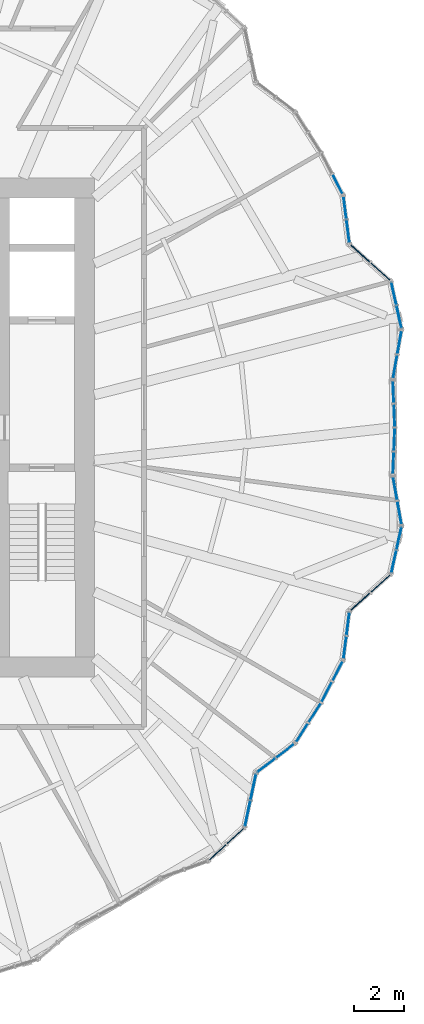
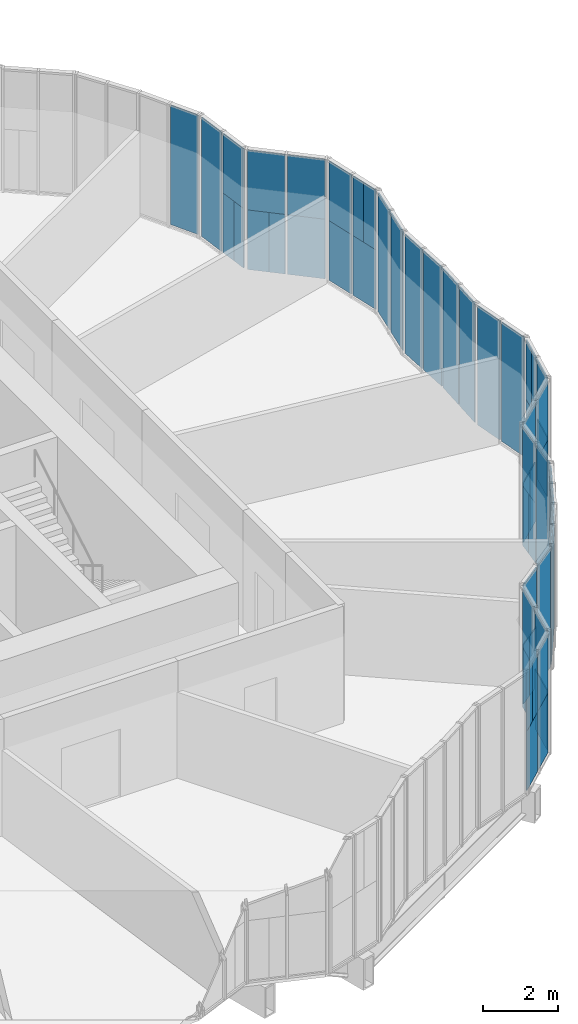
# One storey, part 17 of 23: 55 plates, 16 elements without a shape of their own.
"""IFC4 building model written with IfcOpenShell, lengths in metres."""

from ifc_helpers import new_model, si_unit, direction, frame, origin, origin_2d, place, context, subcontext, project, spatial, rectangle, extrude, material, layer, layer_set, type_object, element, aggregate, save


model = new_model("IFC4")

# Units and contexts
model_context = context("Model", 3, precision=1e-05, world=origin(), true_north=direction((0.0, 1.0)))
body_context = subcontext(model_context, "Body", "Model", "MODEL_VIEW")
ifc_project = project(units=[si_unit("LENGTHUNIT", "METRE"), si_unit("AREAUNIT", "SQUARE_METRE"), si_unit("VOLUMEUNIT", "CUBIC_METRE"), si_unit("PLANEANGLEUNIT", "RADIAN"), si_unit("MASSUNIT", "GRAM", prefix="KILO")], contexts=[model_context])

# Site, building, storey
site_placement = place(None, origin())
site = spatial("IfcSite", under=ifc_project, at=site_placement, CompositionType="ELEMENT")
building_placement = place(site_placement, origin())
building = spatial("IfcBuilding", under=site, at=building_placement, Name="Golbaran Civic Tower", CompositionType="ELEMENT")
storey_placement = place(building_placement, frame((0.0, 0.0, 33.0)))
storey = spatial("IfcBuildingStorey", under=building, at=storey_placement, Name="L07", CompositionType="ELEMENT", Elevation=33.0)

# Curtain wall, plates
ifc_material_1 = material(Name="Aluminium and glass", Category="aluminium")
curtain_wall_type = type_object("IfcCurtainWallType", Name="INNER SKIN CURTAIN WALL", PredefinedType="NOTDEFINED", material=ifc_material_1)
curtain_wall_1_placement = place(storey_placement, origin())
curtain_wall_1 = element("IfcCurtainWall", 1, at=curtain_wall_1_placement, inside=storey, type_object=curtain_wall_type, Name="Inner skin L07 facet 1 CW1", ObjectType="INNER SKIN", PredefinedType="USERDEFINED")
ifc_material_2 = material(Name="Clear insulating glass", Category="glass")
ifc_layer_1 = layer(ifc_material_2, 0.031982421875, Name="Clear insulating glass")
ifc_layer_set_1 = layer_set([ifc_layer_1], Name="Clear insulating glass")
plate_type_1 = type_object("IfcPlateType", Name="INNER SKIN CURTAIN WALL GLAZED PANEL", PredefinedType="CURTAIN_PANEL", material=ifc_layer_set_1)
plate_1_placement = place(storey_placement, frame((22.02392578125, 0.480224609375, 0.06494140625), z_axis=(0.0, 0.0, 1.0), x_axis=(-0.043619387592, 0.999048221572, 0.0)))
plate_1 = element("IfcPlate", 2, at=plate_1_placement, type_object=plate_type_1, Name="CW1 panel 1.1", PredefinedType="CURTAIN_PANEL", context=body_context, shape_type="SweptSolid", body=[
    extrude(rectangle(XDim=0.896484375, YDim=0.031982421875, at=origin_2d()), origin(), (0.0, 0.0, 1.0), 3.8701171875),
])
plate_2_placement = place(storey_placement, frame((21.98291015625, 1.4248046875, 0.06494140625), z_axis=(0.0, 0.0, 1.0), x_axis=(-0.043619387592, 0.999048221572, 0.0)))
plate_2 = element("IfcPlate", 3, at=plate_2_placement, type_object=plate_type_1, Name="CW1 panel 2.1", PredefinedType="CURTAIN_PANEL", context=body_context, shape_type="SweptSolid", body=[
    extrude(rectangle(XDim=0.864013671875, YDim=0.031982421875, at=origin_2d()), origin(), (0.0, 0.0, 1.0), 3.8701171875),
])
aggregate(curtain_wall_1, [plate_1, plate_2])

curtain_wall_2_placement = place(storey_placement, origin())
curtain_wall_2 = element("IfcCurtainWall", 4, at=curtain_wall_2_placement, inside=storey, type_object=curtain_wall_type, Name="Inner skin L07 facet 2 CW1", ObjectType="INNER SKIN", PredefinedType="USERDEFINED")
plate_3_placement = place(storey_placement, frame((22.053955078125, 2.44091796875, 0.06494140625), z_axis=(0.0, 0.0, 1.0), x_axis=(0.175716534296, 0.984440805521, 0.0)))
plate_3 = element("IfcPlate", 5, at=plate_3_placement, type_object=plate_type_1, Name="CW1 panel 1.1", PredefinedType="CURTAIN_PANEL", context=body_context, shape_type="SweptSolid", body=[
    extrude(rectangle(XDim=0.925537109375, YDim=0.031982421875, at=origin_2d()), origin(), (0.0, 0.0, 1.0), 3.8701171875),
])
plate_4_placement = place(storey_placement, frame((22.22802734375, 3.416259765625, 0.06494140625), z_axis=(0.0, 0.0, 1.0), x_axis=(0.175716534296, 0.984440805521, 0.0)))
plate_4 = element("IfcPlate", 6, at=plate_4_placement, type_object=plate_type_1, Name="CW1 panel 2.1", PredefinedType="CURTAIN_PANEL", context=body_context, shape_type="SweptSolid", body=[
    extrude(rectangle(XDim=0.925537109375, YDim=0.031982421875, at=origin_2d()), origin(), (0.0, 0.0, 1.0), 3.8701171875),
])
aggregate(curtain_wall_2, [plate_3, plate_4])

# Curtain wall, plate
curtain_wall_3_placement = place(storey_placement, origin())
curtain_wall_3 = element("IfcCurtainWall", 7, at=curtain_wall_3_placement, inside=storey, type_object=curtain_wall_type, Name="Inner skin L07 facet 3 CW1", ObjectType="INNER SKIN", PredefinedType="USERDEFINED")
plate_5_placement = place(storey_placement, frame((22.253662109375, 4.23828125, 2.0), z_axis=(0.0, 0.0, 1.0), x_axis=(-0.216439613904, 0.976296007127, 0.0)))
plate_5 = element("IfcPlate", 8, at=plate_5_placement, type_object=plate_type_1, Name="CW1 panel 1.1 part 2", PredefinedType="CURTAIN_PANEL", context=body_context, shape_type="SweptSolid", body=[
    extrude(rectangle(XDim=0.489990234375, YDim=0.031982421875, at=origin_2d()), origin(), (0.0, 0.0, 1.0), 1.93505859375),
])

# Curtain wall, plates
curtain_wall_4_placement = place(storey_placement, origin())
curtain_wall_4 = element("IfcCurtainWall", 9, at=curtain_wall_4_placement, inside=storey, type_object=curtain_wall_type, Name="Inner skin L07 facet 4 CW1", ObjectType="INNER SKIN", PredefinedType="USERDEFINED")
plate_6_placement = place(storey_placement, frame((20.491455078125, 7.12548828125, 0.06494140625), z_axis=(0.0, 0.0, 1.0), x_axis=(-0.743783765174, 0.668420309882, 0.0)))
plate_6 = element("IfcPlate", 10, at=plate_6_placement, type_object=plate_type_1, Name="CW1 panel 2.1 part 2", PredefinedType="CURTAIN_PANEL", context=body_context, shape_type="SweptSolid", body=[
    extrude(rectangle(XDim=0.57861328125, YDim=0.031982421875, at=origin_2d()), origin(), (0.0, 0.0, 1.0), 1.93505859375),
])
plate_7_placement = place(storey_placement, frame((20.65625, 6.977294921875, 2.0), z_axis=(0.0, 0.0, 1.0), x_axis=(-0.743783765174, 0.668420309882, 0.0)))
plate_7 = element("IfcPlate", 11, at=plate_7_placement, type_object=plate_type_1, Name="CW1 panel 2.1 part 3", PredefinedType="CURTAIN_PANEL", context=body_context, shape_type="SweptSolid", body=[
    extrude(rectangle(XDim=1.021728515625, YDim=0.031982421875, at=origin_2d()), origin(), (0.0, 0.0, 1.0), 1.93505859375),
])

curtain_wall_5_placement = place(storey_placement, origin())
curtain_wall_5 = element("IfcCurtainWall", 12, at=curtain_wall_5_placement, inside=storey, type_object=curtain_wall_type, Name="Inner skin L07 facet 5 CW1", ObjectType="INNER SKIN", PredefinedType="USERDEFINED")
plate_8_placement = place(storey_placement, frame((20.138427734375, 8.06591796875, 0.06494140625), z_axis=(0.0, 0.0, 1.0), x_axis=(-0.126024428889, 0.992027138401, 0.0)))
plate_8 = element("IfcPlate", 13, at=plate_8_placement, type_object=plate_type_1, Name="CW1 panel 1.1 part 2", PredefinedType="CURTAIN_PANEL", context=body_context, shape_type="SweptSolid", body=[
    extrude(rectangle(XDim=0.486572265625, YDim=0.031982421875, at=origin_2d()), origin(), (0.0, 0.0, 1.0), 1.93505859375),
])
plate_9_placement = place(storey_placement, frame((20.163818359375, 7.866943359375, 2.0), z_axis=(0.0, 0.0, 1.0), x_axis=(-0.126024428889, 0.992027138401, 0.0)))
plate_9 = element("IfcPlate", 14, at=plate_9_placement, type_object=plate_type_1, Name="CW1 panel 1.1 part 3", PredefinedType="CURTAIN_PANEL", context=body_context, shape_type="SweptSolid", body=[
    extrude(rectangle(XDim=0.887451171875, YDim=0.031982421875, at=origin_2d()), origin(), (0.0, 0.0, 1.0), 1.93505859375),
])
plate_10_placement = place(storey_placement, frame((20.043701171875, 8.81201171875, 0.06494140625), z_axis=(0.0, 0.0, 1.0), x_axis=(-0.126024428889, 0.992027138401, 0.0)))
plate_10 = element("IfcPlate", 15, at=plate_10_placement, type_object=plate_type_1, Name="CW1 panel 2.1", PredefinedType="CURTAIN_PANEL", context=body_context, shape_type="SweptSolid", body=[
    extrude(rectangle(XDim=0.887451171875, YDim=0.031982421875, at=origin_2d()), origin(), (0.0, 0.0, 1.0), 3.8701171875),
])

# Curtain wall, plate
curtain_wall_6_placement = place(storey_placement, origin())
curtain_wall_6 = element("IfcCurtainWall", 16, at=curtain_wall_6_placement, inside=storey, type_object=curtain_wall_type, Name="Inner skin L07 facet 6 CW1", ObjectType="INNER SKIN", PredefinedType="USERDEFINED")
plate_11_placement = place(storey_placement, frame((19.75, 9.757568359375, 0.06494140625), z_axis=(0.0, 0.0, 1.0), x_axis=(-0.461748613297, 0.887010833146, 0.0)))
plate_11 = element("IfcPlate", 17, at=plate_11_placement, type_object=plate_type_1, Name="CW1 panel 1.1", PredefinedType="CURTAIN_PANEL", context=body_context, shape_type="SweptSolid", body=[
    extrude(rectangle(XDim=0.864013671875, YDim=0.031982421875, at=origin_2d()), origin(), (0.0, 0.0, 1.0), 3.8701171875),
])
aggregate(curtain_wall_6, [plate_11])

curtain_wall_7_placement = place(storey_placement, origin())
curtain_wall_7 = element("IfcCurtainWall", 18, at=curtain_wall_7_placement, inside=storey, type_object=curtain_wall_type, Name="Inner skin L07 facet 63 CW1", ObjectType="INNER SKIN", PredefinedType="USERDEFINED")
plate_12_placement = place(storey_placement, frame((14.79736328125, -17.153076171875, 2.0), z_axis=(0.0, 0.0, 1.0), x_axis=(0.737277336975, 0.675590207436, 0.0)))
plate_12 = element("IfcPlate", 19, at=plate_12_placement, type_object=plate_type_1, Name="CW1 panel 1.1 part 2", PredefinedType="CURTAIN_PANEL", context=body_context, shape_type="SweptSolid", body=[
    extrude(rectangle(XDim=0.489990234375, YDim=0.031982421875, at=origin_2d()), origin(), (0.0, 0.0, 1.0), 1.93505859375),
])

# Curtain wall, plates
curtain_wall_8_placement = place(storey_placement, origin())
curtain_wall_8 = element("IfcCurtainWall", 20, at=curtain_wall_8_placement, inside=storey, type_object=curtain_wall_type, Name="Inner skin L07 facet 64 CW1", ObjectType="INNER SKIN", PredefinedType="USERDEFINED")
plate_13_placement = place(storey_placement, frame((16.41650390625, -14.183349609375, 0.06494140625), z_axis=(0.0, 0.0, 1.0), x_axis=(0.206977086194, 0.978345790501, 0.0)))
plate_13 = element("IfcPlate", 21, at=plate_13_placement, type_object=plate_type_1, Name="CW1 panel 2.1 part 2", PredefinedType="CURTAIN_PANEL", context=body_context, shape_type="SweptSolid", body=[
    extrude(rectangle(XDim=0.57861328125, YDim=0.031982421875, at=origin_2d()), origin(), (0.0, 0.0, 1.0), 1.93505859375),
])
plate_14_placement = place(storey_placement, frame((16.37060546875, -14.400146484375, 2.0), z_axis=(0.0, 0.0, 1.0), x_axis=(0.206977086194, 0.978345790501, 0.0)))
plate_14 = element("IfcPlate", 22, at=plate_14_placement, type_object=plate_type_1, Name="CW1 panel 2.1 part 3", PredefinedType="CURTAIN_PANEL", context=body_context, shape_type="SweptSolid", body=[
    extrude(rectangle(XDim=1.021728515625, YDim=0.031982421875, at=origin_2d()), origin(), (0.0, 0.0, 1.0), 1.93505859375),
])

curtain_wall_9_placement = place(storey_placement, origin())
curtain_wall_9 = element("IfcCurtainWall", 23, at=curtain_wall_9_placement, inside=storey, type_object=curtain_wall_type, Name="Inner skin L07 facet 65 CW1", ObjectType="INNER SKIN", PredefinedType="USERDEFINED")
plate_15_placement = place(storey_placement, frame((17.054443359375, -13.407470703125, 0.06494140625), z_axis=(0.0, 0.0, 1.0), x_axis=(0.796108488496, 0.605153926324, 0.0)))
plate_15 = element("IfcPlate", 24, at=plate_15_placement, type_object=plate_type_1, Name="CW1 panel 1.1 part 2", PredefinedType="CURTAIN_PANEL", context=body_context, shape_type="SweptSolid", body=[
    extrude(rectangle(XDim=0.486572265625, YDim=0.031982421875, at=origin_2d()), origin(), (0.0, 0.0, 1.0), 1.93505859375),
])
plate_16_placement = place(storey_placement, frame((16.894775390625, -13.52880859375, 2.0), z_axis=(0.0, 0.0, 1.0), x_axis=(0.796108488496, 0.605153926324, 0.0)))
plate_16 = element("IfcPlate", 25, at=plate_16_placement, type_object=plate_type_1, Name="CW1 panel 1.1 part 3", PredefinedType="CURTAIN_PANEL", context=body_context, shape_type="SweptSolid", body=[
    extrude(rectangle(XDim=0.887451171875, YDim=0.031982421875, at=origin_2d()), origin(), (0.0, 0.0, 1.0), 1.93505859375),
])
plate_17_placement = place(storey_placement, frame((17.653076171875, -12.952392578125, 0.06494140625), z_axis=(0.0, 0.0, 1.0), x_axis=(0.796108488496, 0.605153926324, 0.0)))
plate_17 = element("IfcPlate", 26, at=plate_17_placement, type_object=plate_type_1, Name="CW1 panel 2.1", PredefinedType="CURTAIN_PANEL", context=body_context, shape_type="SweptSolid", body=[
    extrude(rectangle(XDim=0.887451171875, YDim=0.031982421875, at=origin_2d()), origin(), (0.0, 0.0, 1.0), 3.8701171875),
])

curtain_wall_10_placement = place(storey_placement, origin())
curtain_wall_10 = element("IfcCurtainWall", 27, at=curtain_wall_10_placement, inside=storey, type_object=curtain_wall_type, Name="Inner skin L07 facet 66 CW1", ObjectType="INNER SKIN", PredefinedType="USERDEFINED")
plate_18_placement = place(storey_placement, frame((18.3251953125, -12.225341796875, 0.06494140625), z_axis=(0.0, 0.0, 1.0), x_axis=(0.537299608406, 0.843391445775, 0.0)))
plate_18 = element("IfcPlate", 28, at=plate_18_placement, type_object=plate_type_1, Name="CW1 panel 1.1", PredefinedType="CURTAIN_PANEL", context=body_context, shape_type="SweptSolid", body=[
    extrude(rectangle(XDim=0.864013671875, YDim=0.031982421875, at=origin_2d()), origin(), (0.0, 0.0, 1.0), 3.8701171875),
])
plate_19_placement = place(storey_placement, frame((18.833251953125, -11.427978515625, 0.06494140625), z_axis=(0.0, 0.0, 1.0), x_axis=(0.537299608406, 0.843391445775, 0.0)))
plate_19 = element("IfcPlate", 29, at=plate_19_placement, type_object=plate_type_1, Name="CW1 panel 2.1", PredefinedType="CURTAIN_PANEL", context=body_context, shape_type="SweptSolid", body=[
    extrude(rectangle(XDim=0.896484375, YDim=0.031982421875, at=origin_2d()), origin(), (0.0, 0.0, 1.0), 3.8701171875),
])
aggregate(curtain_wall_10, [plate_18, plate_19])

curtain_wall_11_placement = place(storey_placement, origin())
curtain_wall_11 = element("IfcCurtainWall", 30, at=curtain_wall_11_placement, inside=storey, type_object=curtain_wall_type, Name="Inner skin L07 facet 67 CW1", ObjectType="INNER SKIN", PredefinedType="USERDEFINED")
plate_20_placement = place(storey_placement, frame((19.3134765625, -10.595947265625, 0.06494140625), z_axis=(0.0, 0.0, 1.0), x_axis=(0.461748613297, 0.887010833146, 0.0)))
plate_20 = element("IfcPlate", 31, at=plate_20_placement, type_object=plate_type_1, Name="CW1 panel 1.1", PredefinedType="CURTAIN_PANEL", context=body_context, shape_type="SweptSolid", body=[
    extrude(rectangle(XDim=0.896484375, YDim=0.031982421875, at=origin_2d()), origin(), (0.0, 0.0, 1.0), 3.8701171875),
])
plate_21_placement = place(storey_placement, frame((19.75, -9.757568359375, 0.06494140625), z_axis=(0.0, 0.0, 1.0), x_axis=(0.461748613297, 0.887010833146, 0.0)))
plate_21 = element("IfcPlate", 32, at=plate_21_placement, type_object=plate_type_1, Name="CW1 panel 2.1", PredefinedType="CURTAIN_PANEL", context=body_context, shape_type="SweptSolid", body=[
    extrude(rectangle(XDim=0.864013671875, YDim=0.031982421875, at=origin_2d()), origin(), (0.0, 0.0, 1.0), 3.8701171875),
])
aggregate(curtain_wall_11, [plate_20, plate_21])

curtain_wall_12_placement = place(storey_placement, origin())
curtain_wall_12 = element("IfcCurtainWall", 33, at=curtain_wall_12_placement, inside=storey, type_object=curtain_wall_type, Name="Inner skin L07 facet 68 CW1", ObjectType="INNER SKIN", PredefinedType="USERDEFINED")
plate_22_placement = place(storey_placement, frame((20.043701171875, -8.81201171875, 0.06494140625), z_axis=(0.0, 0.0, 1.0), x_axis=(0.126024428889, 0.992027138401, 0.0)))
plate_22 = element("IfcPlate", 34, at=plate_22_placement, type_object=plate_type_1, Name="CW1 panel 1.1", PredefinedType="CURTAIN_PANEL", context=body_context, shape_type="SweptSolid", body=[
    extrude(rectangle(XDim=0.887451171875, YDim=0.031982421875, at=origin_2d()), origin(), (0.0, 0.0, 1.0), 3.8701171875),
])
plate_23_placement = place(storey_placement, frame((20.138427734375, -8.066162109375, 0.06494140625), z_axis=(0.0, 0.0, 1.0), x_axis=(0.126024428889, 0.992027138401, 0.0)))
plate_23 = element("IfcPlate", 35, at=plate_23_placement, type_object=plate_type_1, Name="CW1 panel 2.1 part 1", PredefinedType="CURTAIN_PANEL", context=body_context, shape_type="SweptSolid", body=[
    extrude(rectangle(XDim=0.486083984375, YDim=0.031982421875, at=origin_2d()), origin(), (0.0, 0.0, 1.0), 1.93505859375),
])
plate_24_placement = place(storey_placement, frame((20.163818359375, -7.866943359375, 2.0), z_axis=(0.0, 0.0, 1.0), x_axis=(0.126024428889, 0.992027138401, 0.0)))
plate_24 = element("IfcPlate", 36, at=plate_24_placement, type_object=plate_type_1, Name="CW1 panel 2.1 part 3", PredefinedType="CURTAIN_PANEL", context=body_context, shape_type="SweptSolid", body=[
    extrude(rectangle(XDim=0.887451171875, YDim=0.031982421875, at=origin_2d()), origin(), (0.0, 0.0, 1.0), 1.93505859375),
])

curtain_wall_13_placement = place(storey_placement, origin())
curtain_wall_13 = element("IfcCurtainWall", 37, at=curtain_wall_13_placement, inside=storey, type_object=curtain_wall_type, Name="Inner skin L07 facet 69 CW1", ObjectType="INNER SKIN", PredefinedType="USERDEFINED")
plate_25_placement = place(storey_placement, frame((20.491455078125, -7.12548828125, 0.06494140625), z_axis=(0.0, 0.0, 1.0), x_axis=(0.743783765174, 0.668420309882, 0.0)))
plate_25 = element("IfcPlate", 38, at=plate_25_placement, type_object=plate_type_1, Name="CW1 panel 1.1 part 1", PredefinedType="CURTAIN_PANEL", context=body_context, shape_type="SweptSolid", body=[
    extrude(rectangle(XDim=0.5791015625, YDim=0.031982421875, at=origin_2d()), origin(), (0.0, 0.0, 1.0), 1.93505859375),
])
plate_26_placement = place(storey_placement, frame((20.65625, -6.977294921875, 2.0), z_axis=(0.0, 0.0, 1.0), x_axis=(0.743783765174, 0.668420309882, 0.0)))
plate_26 = element("IfcPlate", 39, at=plate_26_placement, type_object=plate_type_1, Name="CW1 panel 1.1 part 3", PredefinedType="CURTAIN_PANEL", context=body_context, shape_type="SweptSolid", body=[
    extrude(rectangle(XDim=1.021728515625, YDim=0.031982421875, at=origin_2d()), origin(), (0.0, 0.0, 1.0), 1.93505859375),
])

# Curtain wall, plate
curtain_wall_14_placement = place(storey_placement, origin())
curtain_wall_14 = element("IfcCurtainWall", 40, at=curtain_wall_14_placement, inside=storey, type_object=curtain_wall_type, Name="Inner skin L07 facet 70 CW1", ObjectType="INNER SKIN", PredefinedType="USERDEFINED")
plate_27_placement = place(storey_placement, frame((22.25341796875, -4.239013671875, 2.0), z_axis=(0.0, 0.0, 1.0), x_axis=(0.216439613904, 0.976296007127, 0.0)))
plate_27 = element("IfcPlate", 41, at=plate_27_placement, type_object=plate_type_1, Name="CW1 panel 2.1 part 3", PredefinedType="CURTAIN_PANEL", context=body_context, shape_type="SweptSolid", body=[
    extrude(rectangle(XDim=0.4912109375, YDim=0.031982421875, at=origin_2d()), origin(), (0.0, 0.0, 1.0), 1.93505859375),
])

# Curtain wall, plates
curtain_wall_15_placement = place(storey_placement, origin())
curtain_wall_15 = element("IfcCurtainWall", 42, at=curtain_wall_15_placement, inside=storey, type_object=curtain_wall_type, Name="Inner skin L07 facet 71 CW1", ObjectType="INNER SKIN", PredefinedType="USERDEFINED")
plate_28_placement = place(storey_placement, frame((22.22802734375, -3.416259765625, 0.06494140625), z_axis=(0.0, 0.0, 1.0), x_axis=(-0.175716534296, 0.984440805521, 0.0)))
plate_28 = element("IfcPlate", 43, at=plate_28_placement, type_object=plate_type_1, Name="CW1 panel 1.1", PredefinedType="CURTAIN_PANEL", context=body_context, shape_type="SweptSolid", body=[
    extrude(rectangle(XDim=0.925537109375, YDim=0.031982421875, at=origin_2d()), origin(), (0.0, 0.0, 1.0), 3.8701171875),
])
plate_29_placement = place(storey_placement, frame((22.053955078125, -2.44091796875, 0.06494140625), z_axis=(0.0, 0.0, 1.0), x_axis=(-0.175716534296, 0.984440805521, 0.0)))
plate_29 = element("IfcPlate", 44, at=plate_29_placement, type_object=plate_type_1, Name="CW1 panel 2.1", PredefinedType="CURTAIN_PANEL", context=body_context, shape_type="SweptSolid", body=[
    extrude(rectangle(XDim=0.925537109375, YDim=0.031982421875, at=origin_2d()), origin(), (0.0, 0.0, 1.0), 3.8701171875),
])
aggregate(curtain_wall_15, [plate_28, plate_29])

curtain_wall_16_placement = place(storey_placement, origin())
curtain_wall_16 = element("IfcCurtainWall", 45, at=curtain_wall_16_placement, inside=storey, type_object=curtain_wall_type, Name="Inner skin L07 facet 72 CW1", ObjectType="INNER SKIN", PredefinedType="USERDEFINED")
plate_30_placement = place(storey_placement, frame((21.98291015625, -1.4248046875, 0.06494140625), z_axis=(0.0, 0.0, 1.0), x_axis=(0.043619387592, 0.999048221572, 0.0)))
plate_30 = element("IfcPlate", 46, at=plate_30_placement, type_object=plate_type_1, Name="CW1 panel 1.1", PredefinedType="CURTAIN_PANEL", context=body_context, shape_type="SweptSolid", body=[
    extrude(rectangle(XDim=0.864013671875, YDim=0.031982421875, at=origin_2d()), origin(), (0.0, 0.0, 1.0), 3.8701171875),
])
plate_31_placement = place(storey_placement, frame((22.02392578125, -0.480224609375, 0.06494140625), z_axis=(0.0, 0.0, 1.0), x_axis=(0.043619387592, 0.999048221572, 0.0)))
plate_31 = element("IfcPlate", 47, at=plate_31_placement, type_object=plate_type_1, Name="CW1 panel 2.1", PredefinedType="CURTAIN_PANEL", context=body_context, shape_type="SweptSolid", body=[
    extrude(rectangle(XDim=0.896484375, YDim=0.031982421875, at=origin_2d()), origin(), (0.0, 0.0, 1.0), 3.8701171875),
])
aggregate(curtain_wall_16, [plate_30, plate_31])

# Plate
ifc_material_3 = material(Name="Aluminium faced opaque infill panel", Category="aluminium")
ifc_layer_2 = layer(ifc_material_3, 0.031982421875, Name="Aluminium faced opaque infill panel")
ifc_layer_set_2 = layer_set([ifc_layer_2], Name="Aluminium faced opaque infill panel")
plate_type_2 = type_object("IfcPlateType", Name="INNER SKIN CURTAIN WALL OPAQUE INFILL PANEL", PredefinedType="CURTAIN_PANEL", material=ifc_layer_set_2)
plate_32_placement = place(storey_placement, frame((22.210205078125, 4.43408203125, 0.06494140625), z_axis=(0.0, 0.0, 1.0), x_axis=(-0.216439613904, 0.976296007127, 0.0)))
plate_32 = element("IfcPlate", 48, at=plate_32_placement, type_object=plate_type_2, Name="CW1 infill panel 1.1 part 1", PredefinedType="CURTAIN_PANEL", context=body_context, shape_type="SweptSolid", body=[
    extrude(rectangle(XDim=0.89111328125, YDim=0.031982421875, at=origin_2d()), origin(), (0.0, 0.0, 1.0), 1.93505859375),
])

plate_33_placement = place(storey_placement, frame((22.1572265625, 4.67333984375, 2.0), z_axis=(0.0, 0.0, 1.0), x_axis=(-0.216439613904, 0.976296007127, 0.0)))
plate_33 = element("IfcPlate", 49, at=plate_33_placement, type_object=plate_type_2, Name="CW1 infill panel 1.1 part 3", PredefinedType="CURTAIN_PANEL", context=body_context, shape_type="SweptSolid", body=[
    extrude(rectangle(XDim=0.401123046875, YDim=0.031982421875, at=origin_2d()), origin(), (0.0, 0.0, 1.0), 1.93505859375),
])

plate_34_placement = place(storey_placement, frame((22.003173828125, 5.36767578125, 0.06494140625), z_axis=(0.0, 0.0, 1.0), x_axis=(-0.216439613904, 0.976296007127, 0.0)))
plate_34 = element("IfcPlate", 50, at=plate_34_placement, type_object=plate_type_2, Name="CW1 infill panel 2.1 part 1", PredefinedType="CURTAIN_PANEL", context=body_context, shape_type="SweptSolid", body=[
    extrude(rectangle(XDim=0.89111328125, YDim=0.031982421875, at=origin_2d()), origin(), (0.0, 0.0, 1.0), 1.93505859375),
])

plate_35_placement = place(storey_placement, frame((22.003173828125, 5.36767578125, 2.0), z_axis=(0.0, 0.0, 1.0), x_axis=(-0.216439613904, 0.976296007127, 0.0)))
plate_35 = element("IfcPlate", 51, at=plate_35_placement, type_object=plate_type_2, Name="CW1 infill panel 2.1 part 2", PredefinedType="CURTAIN_PANEL", context=body_context, shape_type="SweptSolid", body=[
    extrude(rectangle(XDim=0.89111328125, YDim=0.031982421875, at=origin_2d()), origin(), (0.0, 0.0, 1.0), 1.93505859375),
])

aggregate(curtain_wall_3, [plate_32, plate_5, plate_33, plate_34, plate_35])

plate_36_placement = place(storey_placement, frame((21.46435546875, 6.2509765625, 0.06494140625), z_axis=(0.0, 0.0, 1.0), x_axis=(-0.743783765174, 0.668420309882, 0.0)))
plate_36 = element("IfcPlate", 52, at=plate_36_placement, type_object=plate_type_2, Name="CW1 infill panel 1.1 part 1", PredefinedType="CURTAIN_PANEL", context=body_context, shape_type="SweptSolid", body=[
    extrude(rectangle(XDim=1.021728515625, YDim=0.031982421875, at=origin_2d()), origin(), (0.0, 0.0, 1.0), 1.93505859375),
])

plate_37_placement = place(storey_placement, frame((21.46435546875, 6.2509765625, 2.0), z_axis=(0.0, 0.0, 1.0), x_axis=(-0.743783765174, 0.668420309882, 0.0)))
plate_37 = element("IfcPlate", 53, at=plate_37_placement, type_object=plate_type_2, Name="CW1 infill panel 1.1 part 2", PredefinedType="CURTAIN_PANEL", context=body_context, shape_type="SweptSolid", body=[
    extrude(rectangle(XDim=1.021728515625, YDim=0.031982421875, at=origin_2d()), origin(), (0.0, 0.0, 1.0), 1.93505859375),
])

plate_38_placement = place(storey_placement, frame((20.871337890625, 6.783935546875, 0.06494140625), z_axis=(0.0, 0.0, 1.0), x_axis=(-0.743783765174, 0.668420309882, 0.0)))
plate_38 = element("IfcPlate", 54, at=plate_38_placement, type_object=plate_type_2, Name="CW1 infill panel 2.1 part 1", PredefinedType="CURTAIN_PANEL", context=body_context, shape_type="SweptSolid", body=[
    extrude(rectangle(XDim=0.443115234375, YDim=0.031982421875, at=origin_2d()), origin(), (0.0, 0.0, 1.0), 1.93505859375),
])

aggregate(curtain_wall_4, [plate_36, plate_37, plate_38, plate_6, plate_7])

plate_39_placement = place(storey_placement, frame((20.1943359375, 7.625732421875, 0.06494140625), z_axis=(0.0, 0.0, 1.0), x_axis=(-0.126024428889, 0.992027138401, 0.0)))
plate_39 = element("IfcPlate", 55, at=plate_39_placement, type_object=plate_type_2, Name="CW1 infill panel 1.1 part 1", PredefinedType="CURTAIN_PANEL", context=body_context, shape_type="SweptSolid", body=[
    extrude(rectangle(XDim=0.40087890625, YDim=0.031982421875, at=origin_2d()), origin(), (0.0, 0.0, 1.0), 1.93505859375),
])

aggregate(curtain_wall_5, [plate_39, plate_8, plate_9, plate_10])

plate_40_placement = place(storey_placement, frame((14.9453125, -17.017578125, 0.06494140625), z_axis=(0.0, 0.0, 1.0), x_axis=(0.737277336975, 0.675590207436, 0.0)))
plate_40 = element("IfcPlate", 56, at=plate_40_placement, type_object=plate_type_2, Name="CW1 infill panel 1.1 part 1", PredefinedType="CURTAIN_PANEL", context=body_context, shape_type="SweptSolid", body=[
    extrude(rectangle(XDim=0.89111328125, YDim=0.031982421875, at=origin_2d()), origin(), (0.0, 0.0, 1.0), 1.93505859375),
])

plate_41_placement = place(storey_placement, frame((15.125732421875, -16.85205078125, 2.0), z_axis=(0.0, 0.0, 1.0), x_axis=(0.737277336975, 0.675590207436, 0.0)))
plate_41 = element("IfcPlate", 57, at=plate_41_placement, type_object=plate_type_2, Name="CW1 infill panel 1.1 part 3", PredefinedType="CURTAIN_PANEL", context=body_context, shape_type="SweptSolid", body=[
    extrude(rectangle(XDim=0.401123046875, YDim=0.031982421875, at=origin_2d()), origin(), (0.0, 0.0, 1.0), 1.93505859375),
])

plate_42_placement = place(storey_placement, frame((15.650146484375, -16.37158203125, 0.06494140625), z_axis=(0.0, 0.0, 1.0), x_axis=(0.737277336975, 0.675590207436, 0.0)))
plate_42 = element("IfcPlate", 58, at=plate_42_placement, type_object=plate_type_2, Name="CW1 infill panel 2.1 part 1", PredefinedType="CURTAIN_PANEL", context=body_context, shape_type="SweptSolid", body=[
    extrude(rectangle(XDim=0.89111328125, YDim=0.031982421875, at=origin_2d()), origin(), (0.0, 0.0, 1.0), 1.93505859375),
])

plate_43_placement = place(storey_placement, frame((15.650146484375, -16.37158203125, 2.0), z_axis=(0.0, 0.0, 1.0), x_axis=(0.737277336975, 0.675590207436, 0.0)))
plate_43 = element("IfcPlate", 59, at=plate_43_placement, type_object=plate_type_2, Name="CW1 infill panel 2.1 part 2", PredefinedType="CURTAIN_PANEL", context=body_context, shape_type="SweptSolid", body=[
    extrude(rectangle(XDim=0.89111328125, YDim=0.031982421875, at=origin_2d()), origin(), (0.0, 0.0, 1.0), 1.93505859375),
])

aggregate(curtain_wall_7, [plate_40, plate_12, plate_41, plate_42, plate_43])

plate_44_placement = place(storey_placement, frame((16.145751953125, -15.463134765625, 0.06494140625), z_axis=(0.0, 0.0, 1.0), x_axis=(0.206977086194, 0.978345790501, 0.0)))
plate_44 = element("IfcPlate", 60, at=plate_44_placement, type_object=plate_type_2, Name="CW1 infill panel 1.1 part 1", PredefinedType="CURTAIN_PANEL", context=body_context, shape_type="SweptSolid", body=[
    extrude(rectangle(XDim=1.021728515625, YDim=0.031982421875, at=origin_2d()), origin(), (0.0, 0.0, 1.0), 1.93505859375),
])

plate_45_placement = place(storey_placement, frame((16.145751953125, -15.463134765625, 2.0), z_axis=(0.0, 0.0, 1.0), x_axis=(0.206977086194, 0.978345790501, 0.0)))
plate_45 = element("IfcPlate", 61, at=plate_45_placement, type_object=plate_type_2, Name="CW1 infill panel 1.1 part 2", PredefinedType="CURTAIN_PANEL", context=body_context, shape_type="SweptSolid", body=[
    extrude(rectangle(XDim=1.021728515625, YDim=0.031982421875, at=origin_2d()), origin(), (0.0, 0.0, 1.0), 1.93505859375),
])

plate_46_placement = place(storey_placement, frame((16.310791015625, -14.68310546875, 0.06494140625), z_axis=(0.0, 0.0, 1.0), x_axis=(0.206977086194, 0.978345790501, 0.0)))
plate_46 = element("IfcPlate", 62, at=plate_46_placement, type_object=plate_type_2, Name="CW1 infill panel 2.1 part 1", PredefinedType="CURTAIN_PANEL", context=body_context, shape_type="SweptSolid", body=[
    extrude(rectangle(XDim=0.443115234375, YDim=0.031982421875, at=origin_2d()), origin(), (0.0, 0.0, 1.0), 1.93505859375),
])

aggregate(curtain_wall_8, [plate_44, plate_45, plate_46, plate_13, plate_14])

plate_47_placement = place(storey_placement, frame((16.701171875, -13.676025390625, 0.06494140625), z_axis=(0.0, 0.0, 1.0), x_axis=(0.796108488496, 0.605153926324, 0.0)))
plate_47 = element("IfcPlate", 63, at=plate_47_placement, type_object=plate_type_2, Name="CW1 infill panel 1.1 part 1", PredefinedType="CURTAIN_PANEL", context=body_context, shape_type="SweptSolid", body=[
    extrude(rectangle(XDim=0.40087890625, YDim=0.031982421875, at=origin_2d()), origin(), (0.0, 0.0, 1.0), 1.93505859375),
])

aggregate(curtain_wall_9, [plate_47, plate_15, plate_16, plate_17])

plate_48_placement = place(storey_placement, frame((20.1943359375, -7.6259765625, 0.06494140625), z_axis=(0.0, 0.0, 1.0), x_axis=(0.126024428889, 0.992027138401, 0.0)))
plate_48 = element("IfcPlate", 64, at=plate_48_placement, type_object=plate_type_2, Name="CW1 infill panel 2.1 part 2", PredefinedType="CURTAIN_PANEL", context=body_context, shape_type="SweptSolid", body=[
    extrude(rectangle(XDim=0.401611328125, YDim=0.031982421875, at=origin_2d()), origin(), (0.0, 0.0, 1.0), 1.93505859375),
])

aggregate(curtain_wall_12, [plate_22, plate_23, plate_48, plate_24])

plate_49_placement = place(storey_placement, frame((20.871337890625, -6.783935546875, 0.06494140625), z_axis=(0.0, 0.0, 1.0), x_axis=(0.743783765174, 0.668420309882, 0.0)))
plate_49 = element("IfcPlate", 65, at=plate_49_placement, type_object=plate_type_2, Name="CW1 infill panel 1.1 part 2", PredefinedType="CURTAIN_PANEL", context=body_context, shape_type="SweptSolid", body=[
    extrude(rectangle(XDim=0.442626953125, YDim=0.031982421875, at=origin_2d()), origin(), (0.0, 0.0, 1.0), 1.93505859375),
])

plate_50_placement = place(storey_placement, frame((21.46435546875, -6.2509765625, 0.06494140625), z_axis=(0.0, 0.0, 1.0), x_axis=(0.743783765174, 0.668420309882, 0.0)))
plate_50 = element("IfcPlate", 66, at=plate_50_placement, type_object=plate_type_2, Name="CW1 infill panel 2.1 part 1", PredefinedType="CURTAIN_PANEL", context=body_context, shape_type="SweptSolid", body=[
    extrude(rectangle(XDim=1.021728515625, YDim=0.031982421875, at=origin_2d()), origin(), (0.0, 0.0, 1.0), 1.93505859375),
])

plate_51_placement = place(storey_placement, frame((21.46435546875, -6.2509765625, 2.0), z_axis=(0.0, 0.0, 1.0), x_axis=(0.743783765174, 0.668420309882, 0.0)))
plate_51 = element("IfcPlate", 67, at=plate_51_placement, type_object=plate_type_2, Name="CW1 infill panel 2.1 part 2", PredefinedType="CURTAIN_PANEL", context=body_context, shape_type="SweptSolid", body=[
    extrude(rectangle(XDim=1.021728515625, YDim=0.031982421875, at=origin_2d()), origin(), (0.0, 0.0, 1.0), 1.93505859375),
])

aggregate(curtain_wall_13, [plate_25, plate_49, plate_26, plate_50, plate_51])

plate_52_placement = place(storey_placement, frame((22.003173828125, -5.36767578125, 0.06494140625), z_axis=(0.0, 0.0, 1.0), x_axis=(0.216439613904, 0.976296007127, 0.0)))
plate_52 = element("IfcPlate", 68, at=plate_52_placement, type_object=plate_type_2, Name="CW1 infill panel 1.1 part 1", PredefinedType="CURTAIN_PANEL", context=body_context, shape_type="SweptSolid", body=[
    extrude(rectangle(XDim=0.89111328125, YDim=0.031982421875, at=origin_2d()), origin(), (0.0, 0.0, 1.0), 1.93505859375),
])

plate_53_placement = place(storey_placement, frame((22.003173828125, -5.36767578125, 2.0), z_axis=(0.0, 0.0, 1.0), x_axis=(0.216439613904, 0.976296007127, 0.0)))
plate_53 = element("IfcPlate", 69, at=plate_53_placement, type_object=plate_type_2, Name="CW1 infill panel 1.1 part 2", PredefinedType="CURTAIN_PANEL", context=body_context, shape_type="SweptSolid", body=[
    extrude(rectangle(XDim=0.89111328125, YDim=0.031982421875, at=origin_2d()), origin(), (0.0, 0.0, 1.0), 1.93505859375),
])

plate_54_placement = place(storey_placement, frame((22.210205078125, -4.43408203125, 0.06494140625), z_axis=(0.0, 0.0, 1.0), x_axis=(0.216439613904, 0.976296007127, 0.0)))
plate_54 = element("IfcPlate", 70, at=plate_54_placement, type_object=plate_type_2, Name="CW1 infill panel 2.1 part 1", PredefinedType="CURTAIN_PANEL", context=body_context, shape_type="SweptSolid", body=[
    extrude(rectangle(XDim=0.89111328125, YDim=0.031982421875, at=origin_2d()), origin(), (0.0, 0.0, 1.0), 1.93505859375),
])

plate_55_placement = place(storey_placement, frame((22.156982421875, -4.673828125, 2.0), z_axis=(0.0, 0.0, 1.0), x_axis=(0.216439613904, 0.976296007127, 0.0)))
plate_55 = element("IfcPlate", 71, at=plate_55_placement, type_object=plate_type_2, Name="CW1 infill panel 2.1 part 2", PredefinedType="CURTAIN_PANEL", context=body_context, shape_type="SweptSolid", body=[
    extrude(rectangle(XDim=0.39990234375, YDim=0.031982421875, at=origin_2d()), origin(), (0.0, 0.0, 1.0), 1.93505859375),
])

aggregate(curtain_wall_14, [plate_52, plate_53, plate_54, plate_55, plate_27])

save(model, "model.ifc")
